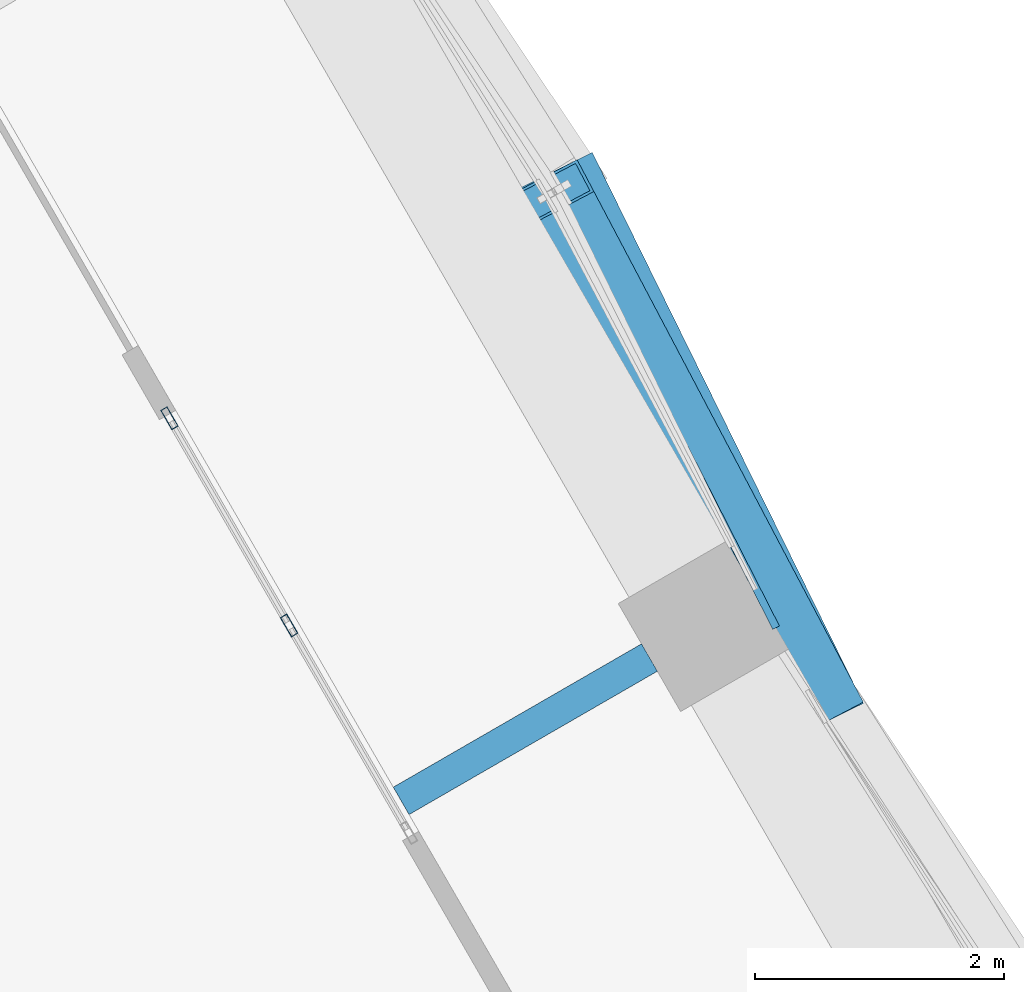
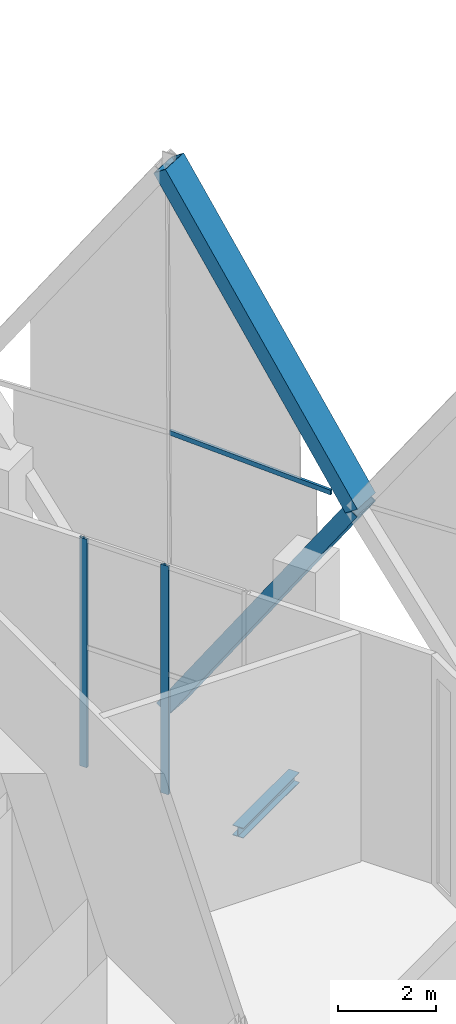
# One storey, part 26 of 43: 5 members, 1 beam, 2 elements without a shape of their own.
"""IFC4 building model written with IfcOpenShell, lengths in metres."""

from ifc_helpers import new_model, si_unit, direction, frame, origin, origin_2d, place, context, subcontext, project, spatial, hollow_rectangle, i_section, extrude, material, material_profile, profile_set, type_object, element, aggregate, save


model = new_model("IFC4")

# Units and contexts
model_context = context("Model", 3, precision=1e-05, world=origin(), true_north=direction((0.0, 1.0)))
body_context = subcontext(model_context, "Body", "Model", "MODEL_VIEW")
ifc_project = project(units=[si_unit("LENGTHUNIT", "METRE"), si_unit("AREAUNIT", "SQUARE_METRE"), si_unit("VOLUMEUNIT", "CUBIC_METRE"), si_unit("PLANEANGLEUNIT", "RADIAN"), si_unit("MASSUNIT", "GRAM", prefix="KILO")], contexts=[model_context])

# Site, building, storey
site_placement = place(None, origin())
site = spatial("IfcSite", under=ifc_project, at=site_placement, CompositionType="ELEMENT")
building_placement = place(site_placement, origin())
building = spatial("IfcBuilding", under=site, at=building_placement, Name="Ostrander Bayou Hotel Tower", CompositionType="ELEMENT")
storey_placement = place(building_placement, frame((0.0, 0.0, 151.0)))
storey = spatial("IfcBuildingStorey", under=building, at=storey_placement, Name="L37", CompositionType="ELEMENT", Elevation=151.0)

# Curtain wall, member
ifc_material_1 = material(Name="Aluminium and clear glass", Category="aluminium")
curtain_wall_type_1 = type_object("IfcCurtainWallType", Name="CW-LAT lattice glazing", PredefinedType="NOTDEFINED", material=ifc_material_1)
curtain_wall_1_placement = place(storey_placement, origin())
curtain_wall_1 = element("IfcCurtainWall", 1, at=curtain_wall_1_placement, inside=storey, type_object=curtain_wall_type_1, Name="CW-LAT L37 NE 2", PredefinedType="NOTDEFINED")
ifc_material_2 = material(Name="Aluminium", Category="aluminium")
ifc_material_profile_1 = material_profile(ifc_material_2, hollow_rectangle(XDim=0.06005859375, YDim=0.1201171875, WallThickness=0.00390625, at=origin_2d()))
ifc_profile_set_1 = profile_set([ifc_material_profile_1], Name="Aluminium")
member_type_1 = type_object("IfcMemberType", Name="CW-LA transom 60 x 120 mm", PredefinedType="USERDEFINED", material=ifc_profile_set_1)
member_1_placement = place(storey_placement, frame((16.45849609375, 9.502197265625, 6.14990234375), z_axis=(0.454143872003, -0.890928360488, 0.0), x_axis=(0.890928360488, 0.454143872003, 0.0)))
member_1 = element("IfcMember", 2, at=member_1_placement, type_object=member_type_1, Name="CW-LAT transom 6", ObjectType="TRANSOM", PredefinedType="USERDEFINED", context=body_context, shape_type="SweptSolid", body=[
    extrude(hollow_rectangle(XDim=0.06005859375, YDim=0.1201171875, WallThickness=0.00390625, at=origin_2d()), origin(), (0.0, 0.0, 1.0), 3.923828125),
])
aggregate(curtain_wall_1, [member_1])

# Curtain wall, members
ifc_material_3 = material(Name="Aluminium and clear glass", Category="aluminium")
curtain_wall_type_2 = type_object("IfcCurtainWallType", Name="CW-SKY amenity glass wall", PredefinedType="NOTDEFINED", material=ifc_material_3)
curtain_wall_2_placement = place(storey_placement, origin())
curtain_wall_2 = element("IfcCurtainWall", 3, at=curtain_wall_2_placement, inside=storey, type_object=curtain_wall_type_2, Name="CW-SKY L37 NE 2", PredefinedType="NOTDEFINED")
ifc_material_4 = material(Name="Aluminium", Category="aluminium")
ifc_material_profile_2 = material_profile(ifc_material_4, hollow_rectangle(XDim=0.06005859375, YDim=0.179931640625, WallThickness=0.00390625, at=origin_2d()))
ifc_profile_set_2 = profile_set([ifc_material_profile_2], Name="Aluminium")
member_type_2 = type_object("IfcMemberType", Name="CW-SK mullion 60 x 180 mm", PredefinedType="MULLION", material=ifc_profile_set_2)
member_2_placement = place(storey_placement, frame((14.33349609375, 6.023681640625, 0.0), z_axis=(0.0, 0.0, 1.0), x_axis=(-0.866025463091, -0.499999897278, 0.0)))
member_2 = element("IfcMember", 4, at=member_2_placement, type_object=member_type_2, Name="CW-SKY mullion 2", PredefinedType="MULLION", context=body_context, shape_type="SweptSolid", body=[
    extrude(hollow_rectangle(XDim=0.06005859375, YDim=0.179931640625, WallThickness=0.00390625, at=origin_2d()), origin(), (0.0, 0.0, 1.0), 5.699951171875),
])
member_3_placement = place(storey_placement, frame((13.373291015625, 7.6865234375, 0.0), z_axis=(0.0, 0.0, 1.0), x_axis=(-0.866025463091, -0.499999897278, 0.0)))
member_3 = element("IfcMember", 5, at=member_3_placement, type_object=member_type_2, Name="CW-SKY mullion 3", PredefinedType="MULLION", context=body_context, shape_type="SweptSolid", body=[
    extrude(hollow_rectangle(XDim=0.06005859375, YDim=0.179931640625, WallThickness=0.00390625, at=origin_2d()), origin(), (0.0, 0.0, 1.0), 5.699951171875),
])
aggregate(curtain_wall_2, [member_2, member_3])

# Beam
ifc_material_5 = material(Name="Steel ASTM A992", Category="steel")
ifc_material_profile_3 = material_profile(ifc_material_5, i_section(OverallWidth=0.25390625, OverallDepth=0.25341796875, WebThickness=0.008544921875, FlangeThickness=0.01416015625, at=origin_2d()))
ifc_profile_set_3 = profile_set([ifc_material_profile_3], Name="Steel ASTM A992")
beam_type = type_object("IfcBeamType", Name="LB2 loggia bracket W10x49", PredefinedType="BEAM", material=ifc_profile_set_3)
beam_placement = place(storey_placement, frame((17.224365234375, 5.7666015625, -0.4267578125), z_axis=(-0.866053019151, -0.499952165731, 0.0), x_axis=(0.499952165731, -0.866053019151, 0.0)))
element("IfcBeam", 6, at=beam_placement, inside=storey, type_object=beam_type, Name="LB2 L37 NE1", PredefinedType="BEAM", context=body_context, shape_type="SweptSolid", body=[
    extrude(i_section(OverallWidth=0.25390625, OverallDepth=0.25341796875, WebThickness=0.008544921875, FlangeThickness=0.01416015625, at=origin_2d()), origin(), (0.0, 0.0, 1.0), 2.300048828125),
])

# Members
ifc_material_6 = material(Name="Steel ASTM A572 Gr 50", Category="steel")
ifc_material_profile_4 = material_profile(ifc_material_6, hollow_rectangle(XDim=0.699951171875, YDim=0.35009765625, WallThickness=0.02490234375, at=origin_2d()))
ifc_profile_set_4 = profile_set([ifc_material_profile_4], Name="Steel ASTM A572 Gr 50")
member_type_3 = type_object("IfcMemberType", Name="LT1 lattice member box 700 x 350 x 25 mm", PredefinedType="BRACE", material=ifc_profile_set_4)
member_4_placement = place(storey_placement, frame((18.563232421875, 5.373291015625, 6.14990234375), z_axis=(-0.250072388447, 0.508133738643, -0.824174680629), x_axis=(-0.897230674032, -0.441562133313, 0.0)))
element("IfcMember", 7, at=member_4_placement, inside=storey, type_object=member_type_3, Name="LT1 L37 NE 3", PredefinedType="BRACE", context=body_context, shape_type="SweptSolid", body=[
    extrude(hollow_rectangle(XDim=0.699951171875, YDim=0.35009765625, WallThickness=0.02490234375, at=origin_2d()), origin(), (0.0, 0.0, 1.0), 8.18994140625),
])
member_5_placement = place(storey_placement, frame((18.563232421875, 5.373291015625, 6.14990234375), z_axis=(-0.264056678517, 0.500377564057, 0.824558284125), x_axis=(-0.88440771998, -0.466715100292, 0.0)))
element("IfcMember", 8, at=member_5_placement, inside=storey, type_object=member_type_3, Name="LT1 L37 NE 4", PredefinedType="BRACE", context=body_context, shape_type="SweptSolid", body=[
    extrude(hollow_rectangle(XDim=0.699951171875, YDim=0.35009765625, WallThickness=0.02490234375, at=origin_2d()), origin(), (0.0, 0.0, 1.0), 8.186279296875),
])

save(model, "model.ifc")
